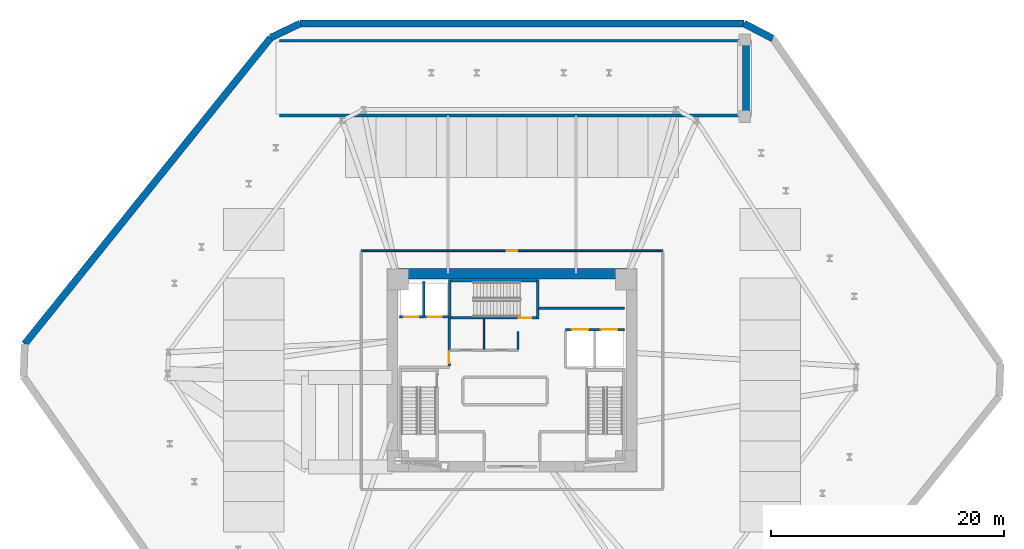
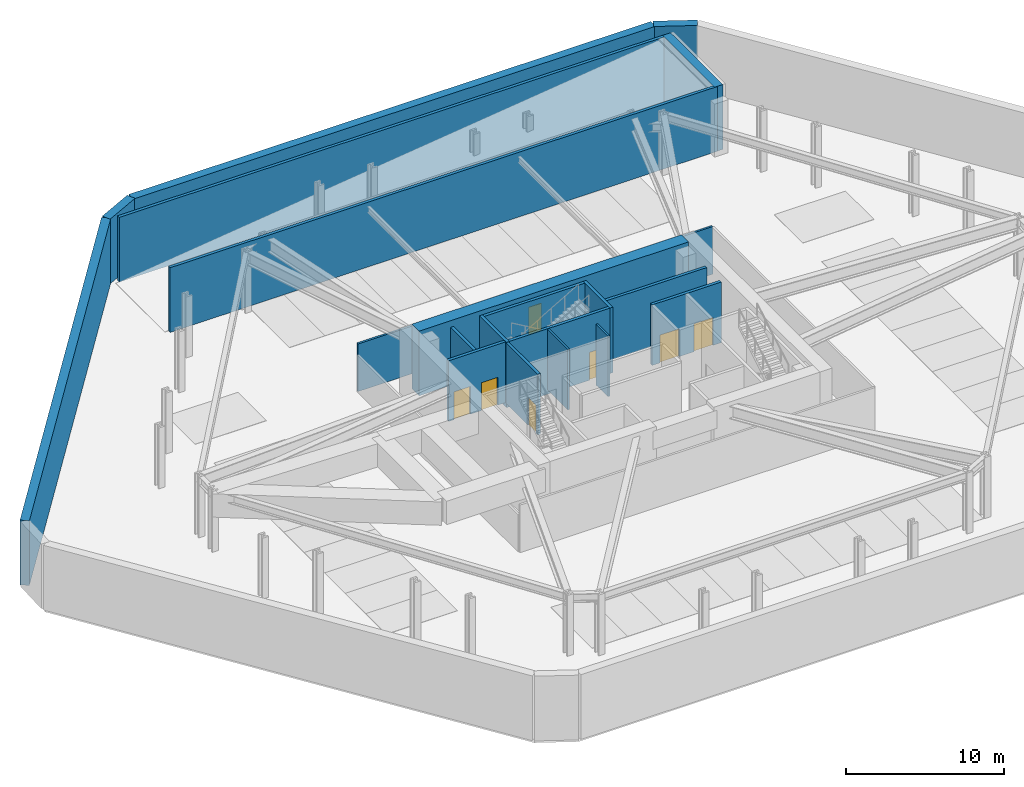
# One storey, part 5 of 8: 20 walls, 7 doors, 7 openings.
"""IFC4 building model written with IfcOpenShell, lengths in metres."""

from ifc_helpers import new_model, si_unit, direction, frame, frame_2d, origin, place, context, subcontext, project, spatial, rectangle, extrude, source, transform, mapped, material, layer, layer_set, type_object, type_shapes, element, fill, save


model = new_model("IFC4")

# Units and contexts
model_context = context("Model", 3, precision=1e-05, world=origin(), true_north=direction((0.0, 1.0)))
body_context = subcontext(model_context, "Body", "Model", "MODEL_VIEW")
ifc_project = project(units=[si_unit("LENGTHUNIT", "METRE"), si_unit("AREAUNIT", "SQUARE_METRE"), si_unit("VOLUMEUNIT", "CUBIC_METRE"), si_unit("PLANEANGLEUNIT", "RADIAN"), si_unit("MASSUNIT", "GRAM", prefix="KILO")], contexts=[model_context])

# Site, building, storey
site_placement = place(None, origin())
site = spatial("IfcSite", under=ifc_project, at=site_placement, CompositionType="ELEMENT")
building_placement = place(site_placement, origin())
building = spatial("IfcBuilding", under=site, at=building_placement, Name="Durnholm Broadcast Tower", CompositionType="ELEMENT")
storey_placement = place(building_placement, frame((0.0, 0.0, -5.0)))
storey = spatial("IfcBuildingStorey", under=building, at=storey_placement, Name="B01", CompositionType="ELEMENT", Elevation=-5.0)

# Wall
ifc_material_1 = material(Name="Concrete C70/85", Category="concrete")
ifc_layer_1 = layer(ifc_material_1, 0.89990234375)
ifc_layer_set_1 = layer_set([ifc_layer_1], Name="Concrete C70/85")
wall_type_1 = type_object("IfcWallType", Name="WALL-CW-900", PredefinedType="SHEAR", material=ifc_layer_set_1)
wall_1_placement = place(storey_placement, frame((-9.85009765625, 8.300048828125, 0.0), z_axis=(0.0, 0.0, 1.0), x_axis=(1.0, 0.0, 0.0)))
element("IfcWall", 1, at=wall_1_placement, inside=storey, type_object=wall_type_1, Name="B01 central core shear wall CW-N", PredefinedType="SHEAR", context=body_context, shape_type="SweptSolid", body=[
    extrude(rectangle(XDim=19.7001953125, YDim=0.89990234375, at=frame_2d((9.85009765625, 0.0))), origin(), (0.0, 0.0, 1.0), 5.0),
])

# Wall, opening, door
ifc_material_2 = material(Name="Fire-Rated Gypsum Shaftwall", Category="concrete")
ifc_layer_2 = layer(ifc_material_2, 0.199951171875)
ifc_layer_set_2 = layer_set([ifc_layer_2], Name="Fire-Rated Gypsum Shaftwall")
wall_type_2 = type_object("IfcWallType", Name="WALL-LOB-200", PredefinedType="SOLIDWALL", material=ifc_layer_set_2)
wall_2_placement = place(storey_placement, frame((-5.39990234375, 0.35400390625, 0.0), z_axis=(0.0, 0.0, 1.0), x_axis=(0.0, 1.0, 0.0)))
wall_2 = element("IfcWall", 2, at=wall_2_placement, inside=storey, type_object=wall_type_2, Name="B01 Fire Service Access Elevator lobby east fire wall", PredefinedType="SOLIDWALL", context=body_context, shape_type="SweptSolid", body=[
    extrude(rectangle(XDim=4.02587890625, YDim=0.199951171875, at=frame_2d((2.012939453125, 0.0))), origin(), (0.0, 0.0, 1.0), 4.68505859375),
])
opening_1_placement = place(wall_2_placement, frame((0.24609375, 0.0, 0.0)))
opening_1 = element("IfcOpeningElement", 3, at=opening_1_placement, cuts=wall_2, Name="Opening DL-60R", PredefinedType="OPENING", context=body_context, shape_type="SweptSolid", body=[
    extrude(rectangle(XDim=1.0, YDim=2.14990234375, at=frame_2d((0.5, 1.074951171875))), frame((0.0, 0.10986328125, 0.0), z_axis=(0.0, -1.0, 0.0), x_axis=(1.0, 0.0, 0.0)), (0.0, 0.0, 1.0), 0.219970703125),
])
ifc_material_3 = material(Name="Fire-Rated Timber/Steel Door", Category="steel")
ifc_layer_3 = layer(ifc_material_3, 0.050048828125)
ifc_layer_set_3 = layer_set([ifc_layer_3], Name="Fire-Rated Timber/Steel Door")
door_type_1 = type_object("IfcDoorType", Name="DOOR-LOB-FD60-R", OperationType="NOTDEFINED", PredefinedType="DOOR", material=ifc_layer_set_3)
shared_shape_1 = source(origin(), body_context, "Body", "SweptSolid", [
    extrude(rectangle(XDim=1.0, YDim=2.14990234375, at=frame_2d((0.5, 1.074951171875))), frame((0.0, 0.02490234375, 0.0), z_axis=(0.0, -1.0, 0.0), x_axis=(1.0, 0.0, 0.0)), (0.0, 0.0, 1.0), 0.050048828125),
])
type_shapes(door_type_1, [shared_shape_1])
door_1_placement = place(opening_1_placement, origin())
door_1 = element("IfcDoor", 4, at=door_1_placement, inside=storey, type_object=door_type_1, Name="B01 Fire Service Access Elevator lobby smoke door", OperationType="SINGLE_SWING_RIGHT", OverallHeight=2.14990234375, OverallWidth=1.0, PredefinedType="DOOR", context=body_context, shape_type="MappedRepresentation", body=[
    mapped(shared_shape_1, transform((0.0, 0.0, 0.0), x_axis=(1.0, 0.0, 0.0), y_axis=(0.0, 1.0, 0.0), z_axis=(0.0, 0.0, 1.0), scale=1.0)),
])
fill(opening_1, door_1)

# Walls
ifc_material_4 = material(Name="Gypsum Metal Stud Partition", Category="concrete")
ifc_layer_4 = layer(ifc_material_4, 0.135009765625)
ifc_layer_set_4 = layer_set([ifc_layer_4], Name="Gypsum Metal Stud Partition")
wall_type_3 = type_object("IfcWallType", Name="WALL-PART-135", PredefinedType="PARTITIONING", material=ifc_layer_set_4)
wall_3_placement = place(storey_placement, frame((-2.419921875, 4.375, 0.0), z_axis=(0.0, 0.0, 1.0), x_axis=(0.0, -1.0, 0.0)))
element("IfcWall", 5, at=wall_3_placement, inside=storey, type_object=wall_type_3, Name="B01 room dividing partition 1.2", PredefinedType="PARTITIONING", context=body_context, shape_type="SweptSolid", body=[
    extrude(rectangle(XDim=2.5859375, YDim=0.135009765625, at=frame_2d((1.29296875, 0.0))), origin(), (0.0, 0.0, 1.0), 4.68505859375),
])
ifc_material_5 = material(Name="Acoustic Gypsum Stud Partition", Category="concrete")
ifc_layer_5 = layer(ifc_material_5, 0.14990234375)
ifc_layer_set_5 = layer_set([ifc_layer_5], Name="Acoustic Gypsum Stud Partition")
wall_type_4 = type_object("IfcWallType", Name="WALL-PART-150", PredefinedType="PARTITIONING", material=ifc_layer_set_5)
wall_4_placement = place(storey_placement, frame((0.52001953125, 3.300048828125, 0.0), z_axis=(0.0, 0.0, 1.0), x_axis=(0.0, -1.0, 0.0)))
element("IfcWall", 6, at=wall_4_placement, inside=storey, type_object=wall_type_4, Name="B01 Core Mail and Supply Room corridor partition", PredefinedType="PARTITIONING", context=body_context, shape_type="SweptSolid", body=[
    extrude(rectangle(XDim=1.510986328125, YDim=0.14990234375, at=frame_2d((0.75537109375, 0.0))), origin(), (0.0, 0.0, 1.0), 4.68505859375),
])

# Wall, opening, door
wall_5_placement = place(storey_placement, frame((12.9599609375, 10.260009765625, 0.0), z_axis=(0.0, 0.0, 1.0), x_axis=(-1.0, 0.0, 0.0)))
wall_5 = element("IfcWall", 7, at=wall_5_placement, inside=storey, type_object=wall_type_4, Name="B01 Underground Broadcast Fleet Parking Garage corridor partition", PredefinedType="PARTITIONING", context=body_context, shape_type="SweptSolid", body=[
    extrude(rectangle(XDim=25.919921875, YDim=0.14990234375, at=frame_2d((12.9599609375, 0.0))), origin(), (0.0, 0.0, 1.0), 3.679443359375),
])
opening_2_placement = place(wall_5_placement, frame((12.5, 0.0, 0.0)))
opening_2 = element("IfcOpeningElement", 8, at=opening_2_placement, cuts=wall_5, Name="Opening DR-92L", PredefinedType="OPENING", context=body_context, shape_type="SweptSolid", body=[
    extrude(rectangle(XDim=0.919921875, YDim=2.10009765625, at=frame_2d((0.4599609375, 1.050048828125))), frame((0.0, 0.0849609375, 0.0), z_axis=(0.0, -1.0, 0.0), x_axis=(1.0, 0.0, 0.0)), (0.0, 0.0, 1.0), 0.169921875),
])
ifc_material_6 = material(Name="Oak Veneer Office Door", Category="wood")
ifc_layer_6 = layer(ifc_material_6, 0.050048828125)
ifc_layer_set_6 = layer_set([ifc_layer_6], Name="Oak Veneer Office Door")
door_type_2 = type_object("IfcDoorType", Name="DOOR-RM-920L", OperationType="NOTDEFINED", PredefinedType="DOOR", material=ifc_layer_set_6)
shared_shape_2 = source(origin(), body_context, "Body", "SweptSolid", [
    extrude(rectangle(XDim=0.919921875, YDim=2.10009765625, at=frame_2d((0.4599609375, 1.050048828125))), frame((0.0, 0.02490234375, 0.0), z_axis=(0.0, -1.0, 0.0), x_axis=(1.0, 0.0, 0.0)), (0.0, 0.0, 1.0), 0.050048828125),
])
type_shapes(door_type_2, [shared_shape_2])
door_2_placement = place(opening_2_placement, origin())
door_2 = element("IfcDoor", 9, at=door_2_placement, inside=storey, type_object=door_type_2, Name="B01 Underground Broadcast Fleet Parking Garage entrance door", OperationType="SINGLE_SWING_LEFT", OverallHeight=2.10009765625, OverallWidth=0.919921875, PredefinedType="DOOR", context=body_context, shape_type="MappedRepresentation", body=[
    mapped(shared_shape_2, transform((0.0, 0.0, 0.0), x_axis=(1.0, 0.0, 0.0), y_axis=(0.0, 1.0, 0.0), z_axis=(0.0, 0.0, 1.0), scale=1.0)),
])
fill(opening_2, door_2)

# Walls
ifc_material_7 = material(Name="Concrete C50/60", Category="concrete")
ifc_layer_7 = layer(ifc_material_7, 0.60009765625)
ifc_layer_set_7 = layer_set([ifc_layer_7], Name="Concrete C50/60")
wall_type_5 = type_object("IfcWallType", Name="WALL-RET-600", PredefinedType="USERDEFINED", material=ifc_layer_set_7)
wall_6_placement = place(storey_placement, frame((20.10009765625, 21.800048828125, 0.0), z_axis=(0.0, 0.0, 1.0), x_axis=(0.0, 1.0, 0.0)))
element("IfcWall", 10, at=wall_6_placement, inside=storey, type_object=wall_type_5, Name="B01 vehicle ramp upper abutment wall", ObjectType="RETAININGWALL", PredefinedType="USERDEFINED", context=body_context, shape_type="SweptSolid", body=[
    extrude(rectangle(XDim=6.599853515625, YDim=0.60009765625, at=frame_2d((3.2998046875, 0.0))), origin(), (0.0, 0.0, 1.0), 5.0),
])
wall_7_placement = place(storey_placement, frame((22.421142578125, 28.507080078125, 0.0), z_axis=(0.0, 0.0, 1.0), x_axis=(-0.887001141035, 0.461767231192, 0.0)))
element("IfcWall", 11, at=wall_7_placement, inside=storey, type_object=wall_type_5, Name="B01 perimeter retaining wall 7", ObjectType="RETAININGWALL", PredefinedType="USERDEFINED", context=body_context, shape_type="SweptSolid", body=[
    extrude(rectangle(XDim=2.800048828125, YDim=0.60009765625, at=frame_2d((1.39990234375, 0.0))), origin(), (0.0, 0.0, 1.0), 5.0),
])
wall_8_placement = place(storey_placement, frame((19.9375, 29.800048828125, 0.0), z_axis=(0.0, 0.0, 1.0), x_axis=(-1.0, 0.0, 0.0)))
element("IfcWall", 12, at=wall_8_placement, inside=storey, type_object=wall_type_5, Name="B01 perimeter retaining wall 8", ObjectType="RETAININGWALL", PredefinedType="USERDEFINED", context=body_context, shape_type="SweptSolid", body=[
    extrude(rectangle(XDim=38.149169921875, YDim=0.60009765625, at=frame_2d((19.07470703125, 0.0))), origin(), (0.0, 0.0, 1.0), 5.0),
])
wall_9_placement = place(storey_placement, frame((-18.211669921875, 29.800048828125, 0.0), z_axis=(0.0, 0.0, 1.0), x_axis=(-0.901732483037, -0.432294493415, 0.0)))
element("IfcWall", 13, at=wall_9_placement, inside=storey, type_object=wall_type_5, Name="B01 perimeter retaining wall 9", ObjectType="RETAININGWALL", PredefinedType="USERDEFINED", context=body_context, shape_type="SweptSolid", body=[
    extrude(rectangle(XDim=2.800048828125, YDim=0.60009765625, at=frame_2d((1.39990234375, 0.0))), origin(), (0.0, 0.0, 1.0), 5.0),
])
wall_10_placement = place(storey_placement, frame((-20.736572265625, 28.589599609375, 0.0), z_axis=(0.0, 0.0, 1.0), x_axis=(-0.626280274315, -0.779597984864, 0.0)))
element("IfcWall", 14, at=wall_10_placement, inside=storey, type_object=wall_type_5, Name="B01 perimeter retaining wall 10", ObjectType="RETAININGWALL", PredefinedType="USERDEFINED", context=body_context, shape_type="SweptSolid", body=[
    extrude(rectangle(XDim=33.79833984375, YDim=0.60009765625, at=frame_2d((16.899169921875, 0.0))), origin(), (0.0, 0.0, 1.0), 5.0),
])

# Wall, openings, doors
ifc_material_8 = material(Name="Concrete Blockwork C30/37", Category="masonry")
ifc_layer_8 = layer(ifc_material_8, 0.219970703125)
ifc_layer_set_8 = layer_set([ifc_layer_8], Name="Concrete Blockwork C30/37")
wall_type_6 = type_object("IfcWallType", Name="WALL-SHAFT-220", PredefinedType="SOLIDWALL", material=ifc_layer_set_8)
wall_11_placement = place(storey_placement, frame((-9.64990234375, 4.580078125, 0.0), z_axis=(0.0, 0.0, 1.0), x_axis=(1.0, 0.0, 0.0)))
wall_11 = element("IfcWall", 15, at=wall_11_placement, inside=storey, type_object=wall_type_6, Name="B01 FSAE hoistway front fire wall", PredefinedType="SOLIDWALL", context=body_context, shape_type="SweptSolid", body=[
    extrude(rectangle(XDim=4.1748046875, YDim=0.219970703125, at=frame_2d((2.08740234375, 0.0))), origin(), (0.0, 0.0, 1.0), 4.68505859375),
])
opening_3_placement = place(wall_11_placement, frame((0.39990234375, 0.0, 0.0)))
opening_3 = element("IfcOpeningElement", 16, at=opening_3_placement, cuts=wall_11, Name="Opening LD-FSAE-2", PredefinedType="OPENING", context=body_context, shape_type="SweptSolid", body=[
    extrude(rectangle(XDim=1.199951171875, YDim=2.14990234375, at=frame_2d((0.60009765625, 1.074951171875))), frame((0.0, 0.1201171875, 0.0), z_axis=(0.0, -1.0, 0.0), x_axis=(1.0, 0.0, 0.0)), (0.0, 0.0, 1.0), 0.239990234375),
])
opening_4_placement = place(wall_11_placement, frame((2.39990234375, 0.0, 0.0)))
opening_4 = element("IfcOpeningElement", 17, at=opening_4_placement, cuts=wall_11, Name="Opening LD-FSAE-1", PredefinedType="OPENING", context=body_context, shape_type="SweptSolid", body=[
    extrude(rectangle(XDim=1.199951171875, YDim=2.14990234375, at=frame_2d((0.60009765625, 1.074951171875))), frame((0.0, 0.1201171875, 0.0), z_axis=(0.0, -1.0, 0.0), x_axis=(1.0, 0.0, 0.0)), (0.0, 0.0, 1.0), 0.239990234375),
])
ifc_material_9 = material(Name="Fire Service Access Sliding Landing Door", Category="steel")
ifc_layer_9 = layer(ifc_material_9, 0.050048828125)
ifc_layer_set_9 = layer_set([ifc_layer_9], Name="Fire Service Access Sliding Landing Door")
door_type_3 = type_object("IfcDoorType", Name="DOOR-LIFT-FSAE", OperationType="DOUBLE_DOOR_SLIDING", PredefinedType="DOOR", material=ifc_layer_set_9)
shared_shape_3 = source(origin(), body_context, "Body", "SweptSolid", [
    extrude(rectangle(XDim=1.199951171875, YDim=2.14990234375, at=frame_2d((0.60009765625, 1.074951171875))), frame((0.0, 0.02490234375, 0.0), z_axis=(0.0, -1.0, 0.0), x_axis=(1.0, 0.0, 0.0)), (0.0, 0.0, 1.0), 0.050048828125),
])
type_shapes(door_type_3, [shared_shape_3])
door_3_placement = place(opening_3_placement, origin())
door_3 = element("IfcDoor", 18, at=door_3_placement, inside=storey, type_object=door_type_3, Name="B01 Fire Service Access Elevator FSAE-2 sliding landing door", OperationType="DOUBLE_DOOR_SLIDING", OverallHeight=2.14990234375, OverallWidth=1.199951171875, PredefinedType="DOOR", context=body_context, shape_type="MappedRepresentation", body=[
    mapped(shared_shape_3, transform((0.0, 0.0, 0.0), x_axis=(1.0, 0.0, 0.0), y_axis=(0.0, 1.0, 0.0), z_axis=(0.0, 0.0, 1.0), scale=1.0)),
])
fill(opening_3, door_3)
door_4_placement = place(opening_4_placement, origin())
door_4 = element("IfcDoor", 19, at=door_4_placement, inside=storey, type_object=door_type_3, Name="B01 Fire Service Access Elevator FSAE-1 sliding landing door", OperationType="DOUBLE_DOOR_SLIDING", OverallHeight=2.14990234375, OverallWidth=1.199951171875, PredefinedType="DOOR", context=body_context, shape_type="MappedRepresentation", body=[
    mapped(shared_shape_3, transform((0.0, 0.0, 0.0), x_axis=(1.0, 0.0, 0.0), y_axis=(0.0, 1.0, 0.0), z_axis=(0.0, 0.0, 1.0), scale=1.0)),
])
fill(opening_4, door_4)

# Wall
wall_12_placement = place(storey_placement, frame((-7.580078125, 4.694091796875, 0.0), z_axis=(0.0, 0.0, 1.0), x_axis=(0.0, 1.0, 0.0)))
element("IfcWall", 20, at=wall_12_placement, inside=storey, type_object=wall_type_6, Name="B01 FSAE shaft divider wall", PredefinedType="SOLIDWALL", context=body_context, shape_type="SweptSolid", body=[
    extrude(rectangle(XDim=2.906005859375, YDim=0.219970703125, at=frame_2d((1.453125, 0.0))), origin(), (0.0, 0.0, 1.0), 4.68505859375),
])

# Wall, openings, doors
wall_13_placement = place(storey_placement, frame((4.60009765625, 3.47998046875, 0.0), z_axis=(0.0, 0.0, 1.0), x_axis=(1.0, 0.0, 0.0)))
wall_13 = element("IfcWall", 21, at=wall_13_placement, inside=storey, type_object=wall_type_6, Name="B01 freight service lifts north front wall", PredefinedType="SOLIDWALL", context=body_context, shape_type="SweptSolid", body=[
    extrude(rectangle(XDim=5.0498046875, YDim=0.219970703125, at=frame_2d((2.52490234375, 0.0))), origin(), (0.0, 0.0, 1.0), 4.68505859375),
])
opening_5_placement = place(wall_13_placement, frame((0.550048828125, 0.0, 0.0)))
opening_5 = element("IfcOpeningElement", 22, at=opening_5_placement, cuts=wall_13, Name="Opening LD-SVL-2", PredefinedType="OPENING", context=body_context, shape_type="SweptSolid", body=[
    extrude(rectangle(XDim=1.39990234375, YDim=2.14990234375, at=frame_2d((0.699951171875, 1.074951171875))), frame((0.0, 0.1201171875, 0.0), z_axis=(0.0, -1.0, 0.0), x_axis=(1.0, 0.0, 0.0)), (0.0, 0.0, 1.0), 0.239990234375),
])
opening_6_placement = place(wall_13_placement, frame((3.050048828125, 0.0, 0.0)))
opening_6 = element("IfcOpeningElement", 23, at=opening_6_placement, cuts=wall_13, Name="Opening LD-SVL-1", PredefinedType="OPENING", context=body_context, shape_type="SweptSolid", body=[
    extrude(rectangle(XDim=1.39990234375, YDim=2.14990234375, at=frame_2d((0.699951171875, 1.074951171875))), frame((0.0, 0.1201171875, 0.0), z_axis=(0.0, -1.0, 0.0), x_axis=(1.0, 0.0, 0.0)), (0.0, 0.0, 1.0), 0.239990234375),
])
ifc_material_10 = material(Name="Freight Elevator Bi-Parting Sliding Landing Door", Category="steel")
ifc_layer_10 = layer(ifc_material_10, 0.050048828125)
ifc_layer_set_10 = layer_set([ifc_layer_10], Name="Freight Elevator Bi-Parting Sliding Landing Door")
door_type_4 = type_object("IfcDoorType", Name="DOOR-LIFT-SVL", OperationType="DOUBLE_DOOR_SLIDING", PredefinedType="DOOR", material=ifc_layer_set_10)
shared_shape_4 = source(origin(), body_context, "Body", "SweptSolid", [
    extrude(rectangle(XDim=1.39990234375, YDim=2.14990234375, at=frame_2d((0.699951171875, 1.074951171875))), frame((0.0, 0.02490234375, 0.0), z_axis=(0.0, -1.0, 0.0), x_axis=(1.0, 0.0, 0.0)), (0.0, 0.0, 1.0), 0.050048828125),
])
type_shapes(door_type_4, [shared_shape_4])
door_5_placement = place(opening_5_placement, origin())
door_5 = element("IfcDoor", 24, at=door_5_placement, inside=storey, type_object=door_type_4, Name="B01 freight service elevator SVL-2 sliding landing door", OperationType="DOUBLE_DOOR_SLIDING", OverallHeight=2.14990234375, OverallWidth=1.39990234375, PredefinedType="DOOR", context=body_context, shape_type="MappedRepresentation", body=[
    mapped(shared_shape_4, transform((0.0, 0.0, 0.0), x_axis=(1.0, 0.0, 0.0), y_axis=(0.0, 1.0, 0.0), z_axis=(0.0, 0.0, 1.0), scale=1.0)),
])
fill(opening_5, door_5)
door_6_placement = place(opening_6_placement, origin())
door_6 = element("IfcDoor", 25, at=door_6_placement, inside=storey, type_object=door_type_4, Name="B01 freight service elevator SVL-1 sliding landing door", OperationType="DOUBLE_DOOR_SLIDING", OverallHeight=2.14990234375, OverallWidth=1.39990234375, PredefinedType="DOOR", context=body_context, shape_type="MappedRepresentation", body=[
    mapped(shared_shape_4, transform((0.0, 0.0, 0.0), x_axis=(1.0, 0.0, 0.0), y_axis=(0.0, 1.0, 0.0), z_axis=(0.0, 0.0, 1.0), scale=1.0)),
])
fill(opening_6, door_6)

# Walls
wall_14_placement = place(storey_placement, frame((2.324951171875, 5.320068359375, 0.0), z_axis=(0.0, 0.0, 1.0), x_axis=(1.0, 0.0, 0.0)))
element("IfcWall", 26, at=wall_14_placement, inside=storey, type_object=wall_type_6, Name="B01 high-rise bank P3 south front wall", PredefinedType="SOLIDWALL", context=body_context, shape_type="SweptSolid", body=[
    extrude(rectangle(XDim=7.324951171875, YDim=0.219970703125, at=frame_2d((3.66259765625, 0.0))), origin(), (0.0, 0.0, 1.0), 4.68505859375),
])
ifc_layer_11 = layer(ifc_material_7, 0.219970703125)
ifc_layer_set_11 = layer_set([ifc_layer_11], Name="Concrete C50/60")
wall_type_7 = type_object("IfcWallType", Name="WALL-SW-220", PredefinedType="SHEAR", material=ifc_layer_set_11)
for number, where, z_axis, x_axis, name in (
    (27, (-20.0, 21.889892578125, 0.0), (0.0, 0.0, 1.0), (1.0, 0.0, 0.0), "B01 vehicle ramp south bearing wall"),
    (28, (-20.0, 28.31005859375, 0.0), (0.0, 0.0, 1.0), (1.0, 0.0, 0.0), "B01 vehicle ramp north guard wall"),
):
    element("IfcWall", number, at=place(storey_placement, frame(where, z_axis=z_axis, x_axis=x_axis)), inside=storey, type_object=wall_type_7, Name=name, PredefinedType="SHEAR", context=body_context, shape_type="SweptSolid", body=[
        extrude(rectangle(XDim=40.0, YDim=0.219970703125, at=frame_2d((20.0, 0.0))), origin(), (0.0, 0.0, 1.0), 5.0),
    ])
for number, where, z_axis, x_axis, name in (
    (29, (2.2099609375, 4.3798828125, -0.35009765625), (0.0, 0.0, 1.0), (0.0, 1.0, 0.0), "B01 stair ST-3 structural shaft wall E"),
    (30, (-5.360107421875, 7.780029296875, -0.35009765625), (0.0, 0.0, 1.0), (0.0, -1.0, 0.0), "B01 stair ST-3 structural shaft wall W"),
):
    element("IfcWall", number, at=place(storey_placement, frame(where, z_axis=z_axis, x_axis=x_axis)), inside=storey, type_object=wall_type_7, Name=name, PredefinedType="SHEAR", context=body_context, shape_type="SweptSolid", body=[
        extrude(rectangle(XDim=3.400146484375, YDim=0.219970703125, at=frame_2d((1.7001953125, 0.0))), origin(), (0.0, 0.0, 1.0), 5.050048828125),
    ])

# Wall, opening, door
wall_15_placement = place(storey_placement, frame((-5.25, 4.489990234375, -0.35009765625), z_axis=(0.0, 0.0, 1.0), x_axis=(1.0, 0.0, 0.0)))
wall_15 = element("IfcWall", 31, at=wall_15_placement, inside=storey, type_object=wall_type_7, Name="B01 stair ST-3 structural shaft wall S", PredefinedType="SHEAR", context=body_context, shape_type="SweptSolid", body=[
    extrude(rectangle(XDim=7.35009765625, YDim=0.219970703125, at=frame_2d((3.675048828125, 0.0))), origin(), (0.0, 0.0, 1.0), 5.050048828125),
])
opening_7_placement = place(wall_15_placement, frame((5.85009765625, 0.0, 0.0)))
opening_7 = element("IfcOpeningElement", 32, at=opening_7_placement, cuts=wall_15, Name="Opening DS-90L", PredefinedType="OPENING", context=body_context, shape_type="SweptSolid", body=[
    extrude(rectangle(XDim=1.050048828125, YDim=2.14990234375, at=frame_2d((0.52490234375, 1.074951171875))), frame((0.0, 0.1201171875, 0.0), z_axis=(0.0, -1.0, 0.0), x_axis=(1.0, 0.0, 0.0)), (0.0, 0.0, 1.0), 0.239990234375),
])
ifc_material_11 = material(Name="Fire-Rated Steel Door", Category="steel")
ifc_layer_12 = layer(ifc_material_11, 0.050048828125)
ifc_layer_set_12 = layer_set([ifc_layer_12], Name="Fire-Rated Steel Door")
door_type_5 = type_object("IfcDoorType", Name="DOOR-ST-FD90-L", OperationType="NOTDEFINED", PredefinedType="DOOR", material=ifc_layer_set_12)
shared_shape_5 = source(origin(), body_context, "Body", "SweptSolid", [
    extrude(rectangle(XDim=1.050048828125, YDim=2.14990234375, at=frame_2d((0.52490234375, 1.074951171875))), frame((0.0, 0.02490234375, 0.0), z_axis=(0.0, -1.0, 0.0), x_axis=(1.0, 0.0, 0.0)), (0.0, 0.0, 1.0), 0.050048828125),
])
type_shapes(door_type_5, [shared_shape_5])
door_7_placement = place(opening_7_placement, origin())
door_7 = element("IfcDoor", 33, at=door_7_placement, inside=storey, type_object=door_type_5, Name="B01 exit stair ST-3 fire door", OperationType="SINGLE_SWING_LEFT", OverallHeight=2.14990234375, OverallWidth=1.050048828125, PredefinedType="DOOR", context=body_context, shape_type="MappedRepresentation", body=[
    mapped(shared_shape_5, transform((0.0, 0.0, 0.0), x_axis=(1.0, 0.0, 0.0), y_axis=(0.0, 1.0, 0.0), z_axis=(0.0, 0.0, 1.0), scale=1.0)),
])
fill(opening_7, door_7)

# Wall
wall_16_placement = place(storey_placement, frame((2.10009765625, 7.669921875, -0.35009765625), z_axis=(0.0, 0.0, 1.0), x_axis=(-1.0, 0.0, 0.0)))
element("IfcWall", 34, at=wall_16_placement, inside=storey, type_object=wall_type_7, Name="B01 stair ST-3 structural shaft wall N", PredefinedType="SHEAR", context=body_context, shape_type="SweptSolid", body=[
    extrude(rectangle(XDim=7.35009765625, YDim=0.219970703125, at=frame_2d((3.675048828125, 0.0))), origin(), (0.0, 0.0, 1.0), 5.050048828125),
])

save(model, "model.ifc")
